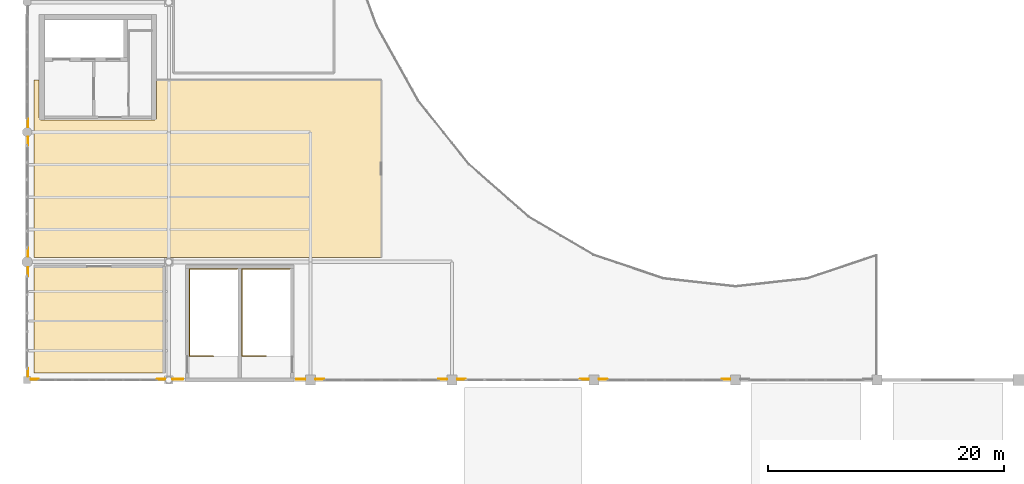
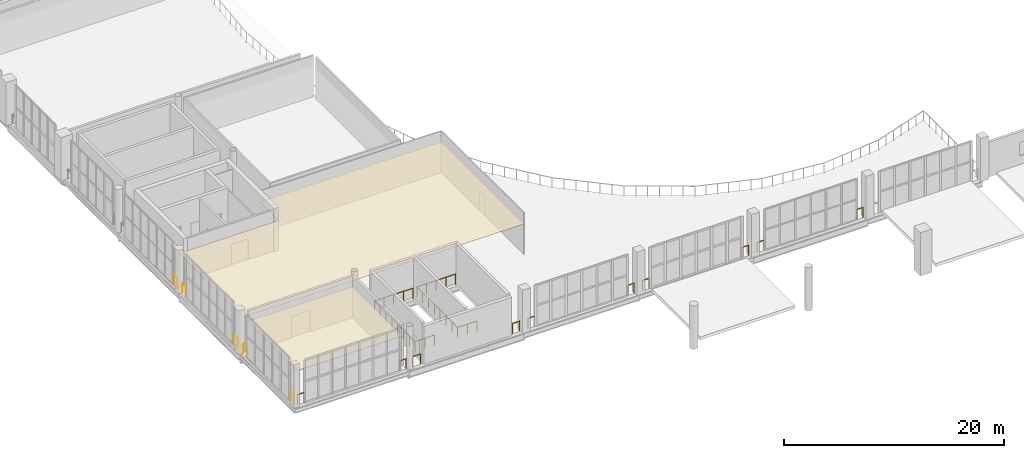
# One storey, part 42 of 49: 17 railings, 2 coverings.
"""IFC4 building model written with IfcOpenShell, lengths in metres."""

import ifcopenshell
import ifcopenshell.guid

model = None  # the IFC model being written
_history = None  # IfcOwnerHistory: only IFC2X3 demands one
_inside = {}  # id of a spatial element -> (the spatial element, [elements in it])
_under = {}  # id of a project, library or spatial element -> (it, [spatial elements below it])
_declared = {}  # id of a project -> (the project, [libraries it declares])
_typed = {}  # id of a type object -> (the type object, [elements of that type])
_made_of = {}  # id of a material, layer set ... -> (it, [elements and type objects made of it])


def new_model(schema):
    """Start an empty IFC model of exactly this schema.

    Asked for "IFC4X3", IfcOpenShell would pick the latest addendum, in which some entities
    have other attributes; the version numbers below select the first issue.
    IFC2X3 requires an IfcOwnerHistory on every rooted entity: one is made here for all.
    """
    global model, _history
    if schema == "IFC4X3":
        model = ifcopenshell.file(schema_version=(4, 3, 0, 0))
    else:
        model = ifcopenshell.file(schema=schema)
    _inside.clear()
    _under.clear()
    _declared.clear()
    _typed.clear()
    _made_of.clear()
    _history = None
    if model.schema == "IFC2X3":
        org = make("IfcOrganization", Name="unknown")
        user = make(
            "IfcPersonAndOrganization",
            ThePerson=make("IfcPerson", FamilyName="unknown"),
            TheOrganization=org,
        )
        app = make(
            "IfcApplication",
            ApplicationDeveloper=org,
            Version="unknown",
            ApplicationFullName="unknown",
            ApplicationIdentifier="unknown",
        )
        _history = make(
            "IfcOwnerHistory",
            OwningUser=user,
            OwningApplication=app,
            ChangeAction="ADDED",
            CreationDate=0,
        )
    return model


def make(cls, **values):
    """One entity of the class cls with the attributes given. An attribute that is None is left unset."""
    return model.create_entity(
        cls, **{name: value for name, value in values.items() if value is not None}
    )


def rooted(cls, **values):
    """An entity with a GlobalId (a new one), such as an element, a storey or a relation."""
    return make(cls, GlobalId=ifcopenshell.guid.new(), OwnerHistory=_history, **values)


def si_unit(unit_type, name, prefix=None):
    """IfcSIUnit, for example si_unit("LENGTHUNIT", "METRE", prefix="MILLI")."""
    return make("IfcSIUnit", UnitType=unit_type, Prefix=prefix, Name=name)


def assignment(units):
    """IfcUnitAssignment: the units of a project."""
    return None if units is None else make("IfcUnitAssignment", Units=units)


def point(xyz):
    """IfcCartesianPoint."""
    return None if xyz is None else make("IfcCartesianPoint", Coordinates=xyz)


def direction(xyz):
    """IfcDirection."""
    return None if xyz is None else make("IfcDirection", DirectionRatios=xyz)


def frame(location, z_axis=None, x_axis=None):
    """IfcAxis2Placement3D, a coordinate frame: its origin and axes. An axis left out is left unset."""
    return make(
        "IfcAxis2Placement3D",
        Location=point(location),
        Axis=direction(z_axis),
        RefDirection=direction(x_axis),
    )


def frame_2d(location, x_axis=None):
    """IfcAxis2Placement2D, a coordinate frame in the plane: its origin and x axis."""
    return make(
        "IfcAxis2Placement2D", Location=point(location), RefDirection=direction(x_axis)
    )


def origin():
    """The frame at (0, 0, 0) with its axes left unset."""
    return frame((0.0, 0.0, 0.0))


def origin_2d():
    """The frame at (0, 0) in the plane with its x axis left unset."""
    return frame_2d((0.0, 0.0))


def place(relative_to, where):
    """IfcLocalPlacement: puts the frame where relative to a parent placement (None: the world)."""
    return make(
        "IfcLocalPlacement", PlacementRelTo=relative_to, RelativePlacement=where
    )


def context(
    kind, dimensions, precision=None, world=None, true_north=None, identifier=None
):
    """IfcGeometricRepresentationContext, for example the 3D "Model" context."""
    return make(
        "IfcGeometricRepresentationContext",
        ContextIdentifier=identifier,
        ContextType=kind,
        CoordinateSpaceDimension=dimensions,
        Precision=precision,
        WorldCoordinateSystem=world,
        TrueNorth=true_north,
    )


def subcontext(parent, identifier, kind, view, scale=None):
    """IfcGeometricRepresentationSubContext, for example "Body" below "Model"."""
    return make(
        "IfcGeometricRepresentationSubContext",
        ContextIdentifier=identifier,
        ContextType=kind,
        ParentContext=parent,
        TargetScale=scale,
        TargetView=view,
    )


def project(units=None, contexts=None):
    """IfcProject with its units and contexts."""
    return rooted(
        "IfcProject",
        Name="project",
        RepresentationContexts=contexts,
        UnitsInContext=assignment(units),
    )


def spatial(cls, under=None, at=None, **own):
    """A site, building, storey or space (cls), placed at a placement, below another one or the project."""
    s = rooted(cls, ObjectPlacement=at, **own)
    if under is not None:
        _under.setdefault(under.id(), (under, []))[1].append(s)
    return s


def polyline(points):
    """IfcPolyline through the points."""
    return make("IfcPolyline", Points=[point(p) for p in points])


def profile(cls, at=None, kind="AREA", **sizes):
    """A parametric profile (cls). Its sizes go by their IFC names, for example OverallWidth=200.0."""
    return make(cls, ProfileType=kind, Position=at, **sizes)


def circle(**sizes):
    """IfcCircleProfileDef."""
    return profile("IfcCircleProfileDef", **sizes)


def outline(outer, holes=None, kind="AREA"):
    """IfcArbitraryClosedProfileDef: a profile drawn as a closed curve; with holes, ...WithVoids."""
    if holes is None:
        return make("IfcArbitraryClosedProfileDef", ProfileType=kind, OuterCurve=outer)
    return make(
        "IfcArbitraryProfileDefWithVoids",
        ProfileType=kind,
        OuterCurve=outer,
        InnerCurves=holes,
    )


def extrude(swept, where, along, depth):
    """IfcExtrudedAreaSolid: the profile swept, set in the frame where, extruded along a direction by depth."""
    return make(
        "IfcExtrudedAreaSolid",
        SweptArea=swept,
        Position=where,
        ExtrudedDirection=direction(along),
        Depth=depth,
    )


def shape(context_of_items, identifier, shape_type, items):
    """IfcShapeRepresentation: the items that make up one representation, for example the "Body"."""
    return make(
        "IfcShapeRepresentation",
        ContextOfItems=context_of_items,
        RepresentationIdentifier=identifier,
        RepresentationType=shape_type,
        Items=items,
    )


def material(Name=None, Category=None):
    """IfcMaterial."""
    return make("IfcMaterial", Name=Name, Category=Category)


def layer(
    of_material, thickness, ventilated=None, Name=None, Category=None, Priority=None
):
    """IfcMaterialLayer: one layer of a wall or slab, of a material (None: an air gap)."""
    return make(
        "IfcMaterialLayer",
        Material=of_material,
        LayerThickness=thickness,
        IsVentilated=ventilated,
        Name=Name,
        Category=Category,
        Priority=Priority,
    )


def layer_set(layers, Name=None):
    """IfcMaterialLayerSet."""
    return make("IfcMaterialLayerSet", MaterialLayers=layers, LayerSetName=Name)


def made_of(thing, what):
    """Note that an element or type object is made of a material, layer set ...; save() writes the relation."""
    if what is not None:
        _made_of.setdefault(what.id(), (what, []))[1].append(thing)
    return thing


def type_object(cls, material=None, **own):
    """A type object (cls), such as IfcWallType, which elements share."""
    return made_of(rooted(cls, **own), material)


def element(
    cls,
    number,
    at=None,
    inside=None,
    cuts=None,
    type_object=None,
    material=None,
    context=None,
    identifier="Body",
    shape_type=None,
    held_by="IfcProductDefinitionShape",
    body=None,
    shapes=None,
    **own,
):
    """One element of the class cls, such as IfcWall. Its Tag is "e" and its number.

    at: its placement. inside: the storey or other place that contains it. cuts: it is an
    opening in that element (IfcRelVoidsElement). A single representation is given by context,
    identifier, shape_type and body (its items); several are given by shapes. held_by: the class
    of the entity that holds the representations. save() writes the other relations.
    """
    e = rooted(cls, Tag="e%d" % number, ObjectPlacement=at, **own)
    if body is not None:
        shapes = [shape(context, identifier, shape_type, body)]
    if shapes is not None:
        e.Representation = make(held_by, Representations=shapes)
    if inside is not None:
        _inside.setdefault(inside.id(), (inside, []))[1].append(e)
    if cuts is not None:
        rooted(
            "IfcRelVoidsElement", RelatingBuildingElement=cuts, RelatedOpeningElement=e
        )
    if type_object is not None:
        _typed.setdefault(type_object.id(), (type_object, []))[1].append(e)
    return made_of(e, material)


def aggregate(whole, parts):
    """IfcRelAggregates: a whole, such as a stair, and the parts it consists of."""
    return rooted("IfcRelAggregates", RelatingObject=whole, RelatedObjects=parts)


def save(model, path):
    """Write the relations noted so far, then the file.

    IfcRelAggregates (storeys below a building ...), IfcRelContainedInSpatialStructure (elements
    in a storey), IfcRelDefinesByType, IfcRelAssociatesMaterial and IfcRelDeclares: one each for
    every whole, place, type object, material and project.
    """
    for whole, parts in _under.values():
        aggregate(whole, parts)
    for where, things in _inside.values():
        rooted(
            "IfcRelContainedInSpatialStructure",
            RelatedElements=things,
            RelatingStructure=where,
        )
    for kind, things in _typed.values():
        rooted("IfcRelDefinesByType", RelatedObjects=things, RelatingType=kind)
    for what, things in _made_of.values():
        rooted("IfcRelAssociatesMaterial", RelatedObjects=things, RelatingMaterial=what)
    for by, libraries in _declared.values():
        rooted("IfcRelDeclares", RelatingContext=by, RelatedDefinitions=libraries)
    model.write(path)


model = new_model("IFC4")

# Units and contexts
model_context = context("Model", 3, precision=1e-05, world=origin(), true_north=direction((0.0, 1.0)))
body_context = subcontext(model_context, "Body", "Model", "MODEL_VIEW")
ifc_project = project(units=[si_unit("LENGTHUNIT", "METRE"), si_unit("AREAUNIT", "SQUARE_METRE"), si_unit("VOLUMEUNIT", "CUBIC_METRE"), si_unit("PLANEANGLEUNIT", "RADIAN"), si_unit("MASSUNIT", "GRAM", prefix="KILO")], contexts=[model_context])

# Site, building, storey
site_placement = place(None, origin())
site = spatial("IfcSite", under=ifc_project, at=site_placement, CompositionType="ELEMENT")
building_placement = place(site_placement, origin())
building = spatial("IfcBuilding", under=site, at=building_placement, Name="Brinegate Civic Arena", CompositionType="ELEMENT")
storey_placement = place(building_placement, frame((0.0, 0.0, 24.60009765625)))
storey = spatial("IfcBuildingStorey", under=building, at=storey_placement, Name="L05", CompositionType="ELEMENT", Elevation=24.60009765625)

# Coverings
ifc_material_1 = material(Name="Acoustic perforated aluminium ceiling", Category="aluminium")
ifc_layer_1 = layer(ifc_material_1, 0.044921875, Name="Acoustic perforated aluminium ceiling")
ifc_layer_set_1 = layer_set([ifc_layer_1], Name="Acoustic perforated aluminium ceiling")
covering_type_1 = type_object("IfcCoveringType", Name="CEILING-BAFFLE-45", PredefinedType="CEILING", material=ifc_layer_set_1)
covering_1_placement = place(storey_placement, frame((0.0, 0.0, 3.304931640625)))
element("IfcCovering", 1, at=covering_1_placement, inside=storey, type_object=covering_type_1, Name="Acoustic Ceiling L05-006", PredefinedType="CEILING", context=body_context, shape_type="SweptSolid", body=[
    extrude(outline(polyline([(59.60400390625, 19.6201171875), (59.60595703125, 19.618896484375), (59.60791015625, 19.617919921875), (59.60888671875, 19.617919921875), (59.611083984375, 19.616943359375), (59.613037109375, 19.614990234375), (59.614013671875, 19.614013671875), (59.614990234375, 19.613037109375), (59.616943359375, 19.611083984375), (59.617919921875, 19.60888671875), (59.617919921875, 19.60791015625), (59.618896484375, 19.60595703125), (59.6201171875, 19.60400390625), (59.6201171875, 19.60205078125), (59.6201171875, 19.60009765625), (59.6201171875, 10.60009765625), (59.6201171875, 10.597900390625), (59.6201171875, 10.595947265625), (59.618896484375, 10.593994140625), (59.617919921875, 10.592041015625), (59.617919921875, 10.591064453125), (59.616943359375, 10.589111328125), (59.614990234375, 10.5869140625), (59.614013671875, 10.5859375), (59.613037109375, 10.5849609375), (59.611083984375, 10.5830078125), (59.60888671875, 10.58203125), (59.60791015625, 10.58203125), (59.60595703125, 10.5810546875), (59.60400390625, 10.580078125), (59.60205078125, 10.580078125), (59.60009765625, 10.580078125), (48.60009765625, 10.580078125), (48.597900390625, 10.580078125), (48.595947265625, 10.580078125), (48.593994140625, 10.5810546875), (48.592041015625, 10.58203125), (48.591064453125, 10.58203125), (48.589111328125, 10.5830078125), (48.5869140625, 10.5849609375), (48.5859375, 10.5859375), (48.5849609375, 10.5869140625), (48.5830078125, 10.589111328125), (48.58203125, 10.591064453125), (48.58203125, 10.592041015625), (48.5810546875, 10.593994140625), (48.580078125, 10.595947265625), (48.580078125, 10.597900390625), (48.580078125, 10.60009765625), (48.580078125, 19.60009765625), (48.580078125, 19.60205078125), (48.580078125, 19.60400390625), (48.5810546875, 19.60595703125), (48.58203125, 19.60791015625), (48.58203125, 19.60888671875), (48.5830078125, 19.611083984375), (48.5849609375, 19.613037109375), (48.5859375, 19.614013671875), (48.5869140625, 19.614990234375), (48.589111328125, 19.616943359375), (48.591064453125, 19.617919921875), (48.592041015625, 19.617919921875), (48.593994140625, 19.618896484375), (48.595947265625, 19.6201171875), (48.597900390625, 19.6201171875), (48.60009765625, 19.6201171875), (59.60009765625, 19.6201171875), (59.60205078125, 19.6201171875), (59.60400390625, 19.6201171875)])), origin(), (0.0, 0.0, 1.0), 0.044921875),
])
ifc_layer_2 = layer(ifc_material_1, 0.01806640625, Name="Acoustic perforated aluminium ceiling")
ifc_layer_set_2 = layer_set([ifc_layer_2], Name="Acoustic perforated aluminium ceiling")
covering_type_2 = type_object("IfcCoveringType", Name="CEILING-MOISTURE-18", PredefinedType="CEILING", material=ifc_layer_set_2)
covering_2_placement = place(storey_placement, frame((0.0, 0.0, 3.331787109375)))
element("IfcCovering", 2, at=covering_2_placement, inside=storey, type_object=covering_type_2, Name="Acoustic Ceiling L05-007", PredefinedType="CEILING", context=body_context, shape_type="SweptSolid", body=[
    extrude(outline(polyline([(49.00390625, 35.419921875), (49.006103515625, 35.4189453125), (49.008056640625, 35.41796875), (49.009033203125, 35.41796875), (49.010986328125, 35.4169921875), (49.012939453125, 35.4150390625), (49.013916015625, 35.4140625), (49.014892578125, 35.4130859375), (49.01708984375, 35.410888671875), (49.01806640625, 35.408935546875), (49.01806640625, 35.407958984375), (49.01904296875, 35.406005859375), (49.02001953125, 35.404052734375), (49.02001953125, 35.402099609375), (49.02001953125, 35.39990234375), (49.02099609375, 32.22705078125), (49.030029296875, 32.18310546875), (49.048095703125, 32.14111328125), (49.05908203125, 32.1220703125), (49.0869140625, 32.0869140625), (49.1220703125, 32.05908203125), (49.162109375, 32.0380859375), (49.205078125, 32.02490234375), (49.2509765625, 32.02001953125), (53.59912109375, 32.02001953125), (53.64794921875, 32.02490234375), (53.64990234375, 32.02490234375), (53.652099609375, 32.02490234375), (53.700927734375, 32.02001953125), (56.4990234375, 32.02001953125), (56.548095703125, 32.02490234375), (56.550048828125, 32.02490234375), (56.552001953125, 32.02490234375), (56.60107421875, 32.02001953125), (58.7490234375, 32.02001953125), (58.7958984375, 32.02490234375), (58.81689453125, 32.030029296875), (58.85888671875, 32.048095703125), (58.8779296875, 32.05908203125), (58.9130859375, 32.0869140625), (58.927001953125, 32.10400390625), (58.94091796875, 32.1220703125), (58.9619140625, 32.162109375), (58.97509765625, 32.2060546875), (58.97900390625, 32.22705078125), (58.97998046875, 35.39990234375), (58.97998046875, 35.402099609375), (58.97998046875, 35.404052734375), (58.98095703125, 35.406005859375), (58.98193359375, 35.407958984375), (58.98193359375, 35.408935546875), (58.98291015625, 35.410888671875), (58.985107421875, 35.4130859375), (58.986083984375, 35.4140625), (58.987060546875, 35.4150390625), (58.989013671875, 35.4169921875), (58.990966796875, 35.41796875), (58.991943359375, 35.41796875), (58.993896484375, 35.4189453125), (58.99609375, 35.419921875), (58.998046875, 35.419921875), (59.0, 35.419921875), (78.0, 35.419921875), (78.001953125, 35.419921875), (78.00390625, 35.419921875), (78.006103515625, 35.4189453125), (78.008056640625, 35.41796875), (78.009033203125, 35.41796875), (78.010986328125, 35.4169921875), (78.012939453125, 35.4150390625), (78.013916015625, 35.4140625), (78.014892578125, 35.4130859375), (78.01708984375, 35.410888671875), (78.01806640625, 35.408935546875), (78.01806640625, 35.407958984375), (78.01904296875, 35.406005859375), (78.02001953125, 35.404052734375), (78.02001953125, 35.402099609375), (78.02001953125, 35.39990234375), (78.02001953125, 20.39990234375), (78.02001953125, 20.39794921875), (78.02001953125, 20.39599609375), (78.01904296875, 20.39404296875), (78.01806640625, 20.39208984375), (78.01806640625, 20.39111328125), (78.01708984375, 20.388916015625), (78.014892578125, 20.386962890625), (78.013916015625, 20.385986328125), (78.012939453125, 20.385009765625), (78.010986328125, 20.383056640625), (78.009033203125, 20.382080078125), (78.008056640625, 20.382080078125), (78.006103515625, 20.381103515625), (78.00390625, 20.3798828125), (78.001953125, 20.3798828125), (78.0, 20.3798828125), (48.60009765625, 20.3798828125), (48.597900390625, 20.3798828125), (48.595947265625, 20.3798828125), (48.593994140625, 20.381103515625), (48.592041015625, 20.382080078125), (48.591064453125, 20.382080078125), (48.589111328125, 20.383056640625), (48.5869140625, 20.385009765625), (48.5859375, 20.385986328125), (48.5849609375, 20.386962890625), (48.5830078125, 20.388916015625), (48.58203125, 20.39111328125), (48.58203125, 20.39208984375), (48.5810546875, 20.39404296875), (48.580078125, 20.39599609375), (48.580078125, 20.39794921875), (48.580078125, 20.39990234375), (48.580078125, 35.39990234375), (48.580078125, 35.402099609375), (48.580078125, 35.404052734375), (48.5810546875, 35.406005859375), (48.58203125, 35.407958984375), (48.58203125, 35.408935546875), (48.5830078125, 35.410888671875), (48.5849609375, 35.4130859375), (48.5859375, 35.4140625), (48.5869140625, 35.4150390625), (48.589111328125, 35.4169921875), (48.591064453125, 35.41796875), (48.592041015625, 35.41796875), (48.593994140625, 35.4189453125), (48.595947265625, 35.419921875), (48.597900390625, 35.419921875), (48.60009765625, 35.419921875), (49.0, 35.419921875), (49.001953125, 35.419921875), (49.00390625, 35.419921875)])), origin(), (0.0, 0.0, 1.0), 0.01806640625),
])

# Railings
ifc_material_2 = material(Name="Architectural stainless steel balustrade", Category="steel")
railing_type_1 = type_object("IfcRailingType", Name="RAIL-STAIR-GUARD-1100", PredefinedType="GUARDRAIL", material=ifc_material_2)
railing_1_placement = place(storey_placement, frame((63.77490234375, 12.02001953125, 0.0)))
element("IfcRailing", 3, at=railing_1_placement, inside=storey, type_object=railing_type_1, Name="Top Stairwell Edge Guard ST-02A L05", PredefinedType="GUARDRAIL", context=body_context, shape_type="SweptSolid", body=[
    extrude(circle(Radius=0.02392578125, at=origin_2d()), frame((-0.00146484375, 0.0, 1.09619140625), z_axis=(-1.0, 0.0, 0.0), x_axis=(0.0, -1.0, 0.0)), (0.0, 0.0, 1.0), 2.02685546875),
    extrude(circle(Radius=0.02392578125, at=origin_2d()), frame((-2.02978515625, 0.00146484375, 1.09619140625), z_axis=(0.0, 1.0, 0.0), x_axis=(-1.0, 0.0, 0.0)), (0.0, 0.0, 1.0), 7.39697265625),
    extrude(circle(Radius=0.02392578125, at=origin_2d()), frame((-2.0283203125, 7.39990234375, 1.09619140625), z_axis=(1.0, 0.0, 0.0), x_axis=(0.0, 1.0, 0.0)), (0.0, 0.0, 1.0), 4.056884765625),
    extrude(circle(Radius=0.02099609375, at=origin_2d()), origin(), (0.0, 0.0, 1.0), 1.070068359375),
    extrude(circle(Radius=0.02099609375, at=origin_2d()), frame((-1.014892578125, 0.0, 0.0)), (0.0, 0.0, 1.0), 1.070068359375),
    extrude(circle(Radius=0.02099609375, at=origin_2d()), frame((-2.02978515625, 0.0, 0.0)), (0.0, 0.0, 1.0), 1.070068359375),
    extrude(circle(Radius=0.02099609375, at=origin_2d()), frame((-2.02978515625, 1.05712890625, 0.0)), (0.0, 0.0, 1.0), 1.070068359375),
    extrude(circle(Radius=0.02099609375, at=origin_2d()), frame((-2.02978515625, 2.1142578125, 0.0)), (0.0, 0.0, 1.0), 1.070068359375),
    extrude(circle(Radius=0.02099609375, at=origin_2d()), frame((-2.02978515625, 3.17138671875, 0.0)), (0.0, 0.0, 1.0), 1.070068359375),
    extrude(circle(Radius=0.02099609375, at=origin_2d()), frame((-2.02978515625, 4.228515625, 0.0)), (0.0, 0.0, 1.0), 1.070068359375),
    extrude(circle(Radius=0.02099609375, at=origin_2d()), frame((-2.02978515625, 5.28564453125, 0.0)), (0.0, 0.0, 1.0), 1.070068359375),
    extrude(circle(Radius=0.02099609375, at=origin_2d()), frame((-2.02978515625, 6.3427734375, 0.0)), (0.0, 0.0, 1.0), 1.070068359375),
    extrude(circle(Radius=0.02099609375, at=origin_2d()), frame((-2.02978515625, 7.39990234375, 0.0)), (0.0, 0.0, 1.0), 1.070068359375),
    extrude(circle(Radius=0.02099609375, at=origin_2d()), frame((-1.014892578125, 7.39990234375, 0.0)), (0.0, 0.0, 1.0), 1.070068359375),
    extrude(circle(Radius=0.02099609375, at=origin_2d()), frame((0.0, 7.39990234375, 0.0)), (0.0, 0.0, 1.0), 1.070068359375),
    extrude(circle(Radius=0.02099609375, at=origin_2d()), frame((1.01513671875, 7.39990234375, 0.0)), (0.0, 0.0, 1.0), 1.070068359375),
    extrude(circle(Radius=0.02099609375, at=origin_2d()), frame((2.030029296875, 7.39990234375, 0.0)), (0.0, 0.0, 1.0), 1.070068359375),
])
railing_2_placement = place(storey_placement, frame((68.22509765625, 12.02001953125, 0.0)))
element("IfcRailing", 4, at=railing_2_placement, inside=storey, type_object=railing_type_1, Name="Top Stairwell Edge Guard ST-02B L05", PredefinedType="GUARDRAIL", context=body_context, shape_type="SweptSolid", body=[
    extrude(circle(Radius=0.02392578125, at=origin_2d()), frame((-0.00146484375, 0.0, 1.09619140625), z_axis=(-1.0, 0.0, 0.0), x_axis=(0.0, -1.0, 0.0)), (0.0, 0.0, 1.0), 2.027099609375),
    extrude(circle(Radius=0.02392578125, at=origin_2d()), frame((-2.030029296875, 0.00146484375, 1.09619140625), z_axis=(0.0, 1.0, 0.0), x_axis=(-1.0, 0.0, 0.0)), (0.0, 0.0, 1.0), 7.39697265625),
    extrude(circle(Radius=0.02392578125, at=origin_2d()), frame((-2.028564453125, 7.39990234375, 1.09619140625), z_axis=(1.0, 0.0, 0.0), x_axis=(0.0, 1.0, 0.0)), (0.0, 0.0, 1.0), 4.056884765625),
    extrude(circle(Radius=0.02099609375, at=origin_2d()), origin(), (0.0, 0.0, 1.0), 1.070068359375),
    extrude(circle(Radius=0.02099609375, at=origin_2d()), frame((-1.01513671875, 0.0, 0.0)), (0.0, 0.0, 1.0), 1.070068359375),
    extrude(circle(Radius=0.02099609375, at=origin_2d()), frame((-2.030029296875, 0.0, 0.0)), (0.0, 0.0, 1.0), 1.070068359375),
    extrude(circle(Radius=0.02099609375, at=origin_2d()), frame((-2.030029296875, 1.05712890625, 0.0)), (0.0, 0.0, 1.0), 1.070068359375),
    extrude(circle(Radius=0.02099609375, at=origin_2d()), frame((-2.030029296875, 2.1142578125, 0.0)), (0.0, 0.0, 1.0), 1.070068359375),
    extrude(circle(Radius=0.02099609375, at=origin_2d()), frame((-2.030029296875, 3.17138671875, 0.0)), (0.0, 0.0, 1.0), 1.070068359375),
    extrude(circle(Radius=0.02099609375, at=origin_2d()), frame((-2.030029296875, 4.228515625, 0.0)), (0.0, 0.0, 1.0), 1.070068359375),
    extrude(circle(Radius=0.02099609375, at=origin_2d()), frame((-2.030029296875, 5.28564453125, 0.0)), (0.0, 0.0, 1.0), 1.070068359375),
    extrude(circle(Radius=0.02099609375, at=origin_2d()), frame((-2.030029296875, 6.3427734375, 0.0)), (0.0, 0.0, 1.0), 1.070068359375),
    extrude(circle(Radius=0.02099609375, at=origin_2d()), frame((-2.030029296875, 7.39990234375, 0.0)), (0.0, 0.0, 1.0), 1.070068359375),
    extrude(circle(Radius=0.02099609375, at=origin_2d()), frame((-1.01513671875, 7.39990234375, 0.0)), (0.0, 0.0, 1.0), 1.070068359375),
    extrude(circle(Radius=0.02099609375, at=origin_2d()), frame((0.0, 7.39990234375, 0.0)), (0.0, 0.0, 1.0), 1.070068359375),
    extrude(circle(Radius=0.02099609375, at=origin_2d()), frame((1.014892578125, 7.39990234375, 0.0)), (0.0, 0.0, 1.0), 1.070068359375),
    extrude(circle(Radius=0.02099609375, at=origin_2d()), frame((2.02978515625, 7.39990234375, 0.0)), (0.0, 0.0, 1.0), 1.070068359375),
])
railing_type_2 = type_object("IfcRailingType", Name="RAIL-VOID-BALUSTRADE-1120", PredefinedType="BALUSTRADE", material=ifc_material_2)
railing_3_placement = place(storey_placement, frame((48.070068359375, 10.320068359375, 0.0)))
element("IfcRailing", 5, at=railing_3_placement, inside=storey, type_object=railing_type_2, Name="Deck Edge Balustrade L05-393", PredefinedType="BALUSTRADE", context=body_context, shape_type="SweptSolid", body=[
    extrude(circle(Radius=0.02392578125, at=origin_2d()), frame((0.0, 0.00146484375, 1.09619140625), z_axis=(0.0, 1.0, 0.0), x_axis=(-1.0, 0.0, 0.0)), (0.0, 0.0, 1.0), 0.651123046875),
    extrude(circle(Radius=0.02099609375, at=origin_2d()), origin(), (0.0, 0.0, 1.0), 1.070068359375),
    extrude(circle(Radius=0.02099609375, at=origin_2d()), frame((0.0, 0.654052734375, 0.0)), (0.0, 0.0, 1.0), 1.070068359375),
])
for number, where, name in (
    (6, (48.070068359375, 18.81396484375, 0.0), "Deck Edge Balustrade L05-394"),
    (7, (48.070068359375, 20.469970703125, 0.0), "Deck Edge Balustrade L05-395"),
):
    element("IfcRailing", number, at=place(storey_placement, frame(where)), inside=storey, type_object=railing_type_2, Name=name, PredefinedType="BALUSTRADE", context=body_context, shape_type="SweptSolid", body=[
        extrude(circle(Radius=0.02392578125, at=origin_2d()), frame((0.0, 0.00146484375, 1.09619140625), z_axis=(0.0, 1.0, 0.0), x_axis=(-1.0, 0.0, 0.0)), (0.0, 0.0, 1.0), 0.713134765625),
        extrude(circle(Radius=0.02099609375, at=origin_2d()), origin(), (0.0, 0.0, 1.0), 1.070068359375),
        extrude(circle(Radius=0.02099609375, at=origin_2d()), frame((0.0, 0.716064453125, 0.0)), (0.0, 0.0, 1.0), 1.070068359375),
    ])
for number, where, name in (
    (8, (48.070068359375, 29.884033203125, 0.0), "Deck Edge Balustrade L05-396"),
    (9, (48.070068359375, 31.419921875, 0.0), "Deck Edge Balustrade L05-397"),
):
    element("IfcRailing", number, at=place(storey_placement, frame(where)), inside=storey, type_object=railing_type_2, Name=name, PredefinedType="BALUSTRADE", context=body_context, shape_type="SweptSolid", body=[
        extrude(circle(Radius=0.02392578125, at=origin_2d()), frame((0.0, 0.00146484375, 1.09619140625), z_axis=(0.0, 1.0, 0.0), x_axis=(-1.0, 0.0, 0.0)), (0.0, 0.0, 1.0), 0.693115234375),
        extrude(circle(Radius=0.02099609375, at=origin_2d()), origin(), (0.0, 0.0, 1.0), 1.070068359375),
        extrude(circle(Radius=0.02099609375, at=origin_2d()), frame((0.0, 0.696044921875, 0.0)), (0.0, 0.0, 1.0), 1.070068359375),
    ])
for number, where, name in (
    (10, (107.554931640625, 10.070068359375, 0.0), "Deck Edge Balustrade L05-435"),
    (11, (97.15087890625, 10.070068359375, 0.0), "Deck Edge Balustrade L05-436"),
    (12, (95.554931640625, 10.070068359375, 0.0), "Deck Edge Balustrade L05-437"),
    (13, (85.15087890625, 10.070068359375, 0.0), "Deck Edge Balustrade L05-438"),
    (14, (83.554931640625, 10.070068359375, 0.0), "Deck Edge Balustrade L05-439"),
    (15, (73.15087890625, 10.070068359375, 0.0), "Deck Edge Balustrade L05-440"),
):
    element("IfcRailing", number, at=place(storey_placement, frame(where)), inside=storey, type_object=railing_type_2, Name=name, PredefinedType="BALUSTRADE", context=body_context, shape_type="SweptSolid", body=[
        extrude(circle(Radius=0.02392578125, at=origin_2d()), frame((-0.00146484375, 0.0, 1.09619140625), z_axis=(-1.0, 0.0, 0.0), x_axis=(0.0, -1.0, 0.0)), (0.0, 0.0, 1.0), 0.702880859375),
        extrude(circle(Radius=0.02099609375, at=origin_2d()), origin(), (0.0, 0.0, 1.0), 1.070068359375),
        extrude(circle(Radius=0.02099609375, at=origin_2d()), frame((-0.705810546875, 0.0, 0.0)), (0.0, 0.0, 1.0), 1.070068359375),
    ])
railing_4_placement = place(storey_placement, frame((71.554931640625, 10.070068359375, 0.0)))
element("IfcRailing", 16, at=railing_4_placement, inside=storey, type_object=railing_type_2, Name="Deck Edge Balustrade L05-441", PredefinedType="BALUSTRADE", context=body_context, shape_type="SweptSolid", body=[
    extrude(circle(Radius=0.02392578125, at=origin_2d()), frame((-0.00146484375, 0.0, 1.09619140625), z_axis=(-1.0, 0.0, 0.0), x_axis=(0.0, -1.0, 0.0)), (0.0, 0.0, 1.0), 0.751953125),
    extrude(circle(Radius=0.02099609375, at=origin_2d()), origin(), (0.0, 0.0, 1.0), 1.070068359375),
    extrude(circle(Radius=0.02099609375, at=origin_2d()), frame((-0.7548828125, 0.0, 0.0)), (0.0, 0.0, 1.0), 1.070068359375),
])
railing_5_placement = place(storey_placement, frame((61.199951171875, 10.070068359375, 0.0)))
element("IfcRailing", 17, at=railing_5_placement, inside=storey, type_object=railing_type_2, Name="Deck Edge Balustrade L05-442", PredefinedType="BALUSTRADE", context=body_context, shape_type="SweptSolid", body=[
    extrude(circle(Radius=0.02392578125, at=origin_2d()), frame((-0.00146484375, 0.0, 1.09619140625), z_axis=(-1.0, 0.0, 0.0), x_axis=(0.0, -1.0, 0.0)), (0.0, 0.0, 1.0), 0.8720703125),
    extrude(circle(Radius=0.02099609375, at=origin_2d()), origin(), (0.0, 0.0, 1.0), 1.070068359375),
    extrude(circle(Radius=0.02099609375, at=origin_2d()), frame((-0.875, 0.0, 0.0)), (0.0, 0.0, 1.0), 1.070068359375),
])
railing_6_placement = place(storey_placement, frame((59.675048828125, 10.070068359375, 0.0)))
element("IfcRailing", 18, at=railing_6_placement, inside=storey, type_object=railing_type_2, Name="Deck Edge Balustrade L05-443", PredefinedType="BALUSTRADE", context=body_context, shape_type="SweptSolid", body=[
    extrude(circle(Radius=0.02392578125, at=origin_2d()), frame((-0.00146484375, 0.0, 1.09619140625), z_axis=(-1.0, 0.0, 0.0), x_axis=(0.0, -1.0, 0.0)), (0.0, 0.0, 1.0), 0.653076171875),
    extrude(circle(Radius=0.02099609375, at=origin_2d()), origin(), (0.0, 0.0, 1.0), 1.070068359375),
    extrude(circle(Radius=0.02099609375, at=origin_2d()), frame((-0.656005859375, 0.0, 0.0)), (0.0, 0.0, 1.0), 1.070068359375),
])
railing_7_placement = place(storey_placement, frame((48.97412109375, 10.070068359375, 0.0)))
element("IfcRailing", 19, at=railing_7_placement, inside=storey, type_object=railing_type_2, Name="Deck Edge Balustrade L05-444", PredefinedType="BALUSTRADE", context=body_context, shape_type="SweptSolid", body=[
    extrude(circle(Radius=0.02392578125, at=origin_2d()), frame((-0.00146484375, 0.0, 1.09619140625), z_axis=(-1.0, 0.0, 0.0), x_axis=(0.0, -1.0, 0.0)), (0.0, 0.0, 1.0), 0.651123046875),
    extrude(circle(Radius=0.02099609375, at=origin_2d()), origin(), (0.0, 0.0, 1.0), 1.070068359375),
    extrude(circle(Radius=0.02099609375, at=origin_2d()), frame((-0.654052734375, 0.0, 0.0)), (0.0, 0.0, 1.0), 1.070068359375),
])

save(model, "model.ifc")
